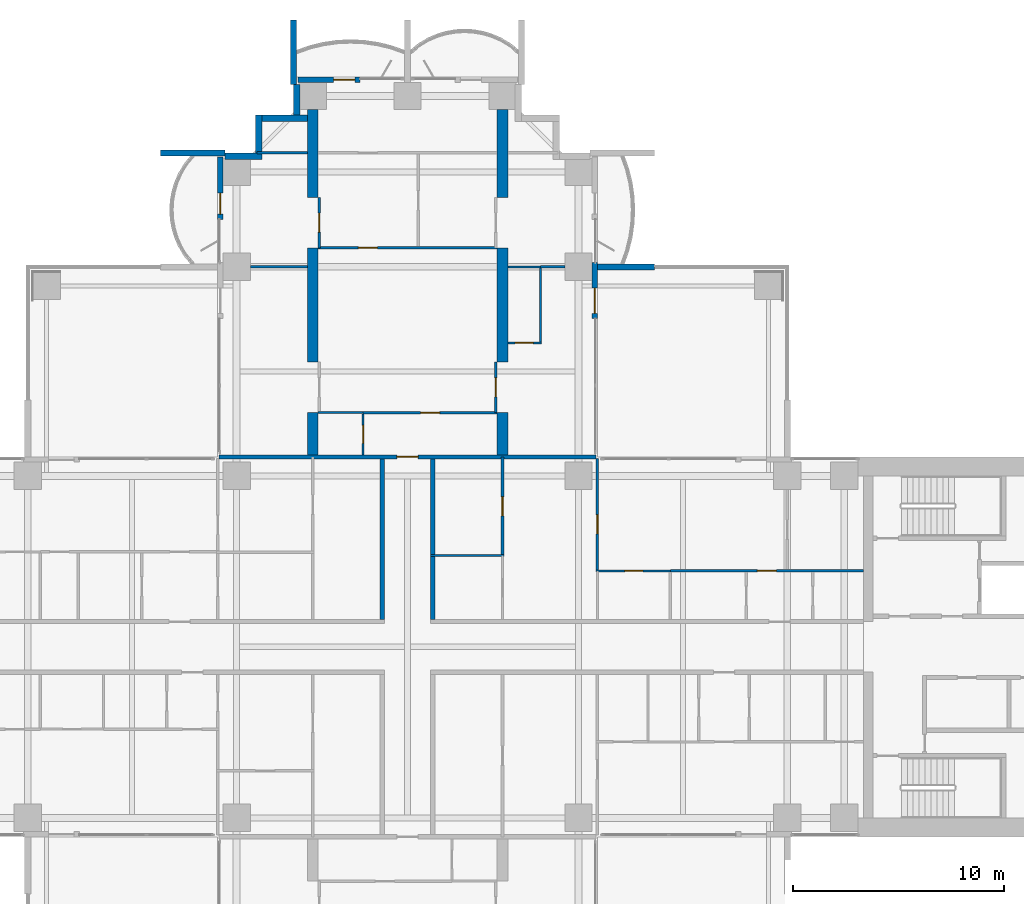
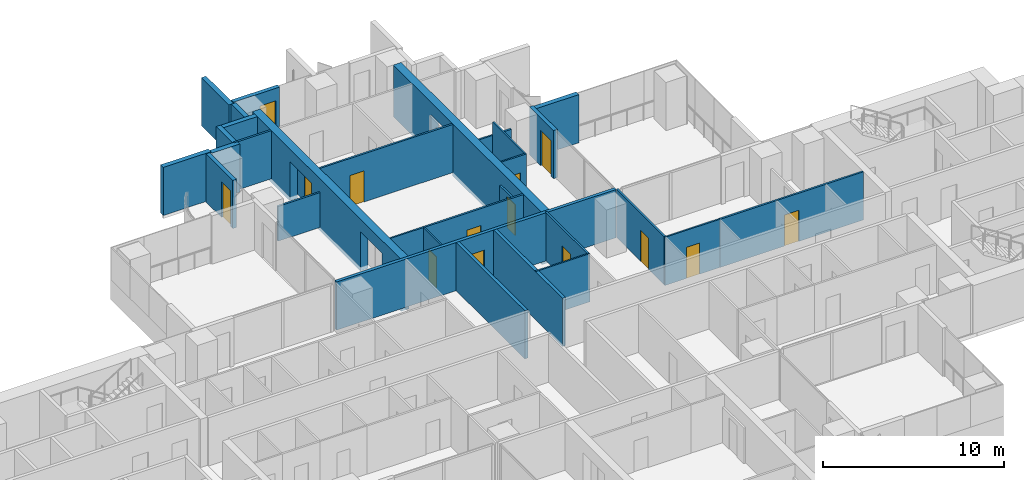
# One storey, part 14 of 20: 32 walls, 14 doors, 14 openings.
"""IFC4 building model written with IfcOpenShell, lengths in metres."""

from ifc_helpers import new_model, si_unit, direction, frame, frame_2d, origin, place, context, subcontext, project, spatial, polyline, rectangle, outline, extrude, material, layer, layer_set, material_profile, profile_set, type_object, element, fill, save


model = new_model("IFC4")

# Units and contexts
model_context = context("Model", 3, precision=1e-05, world=origin(), true_north=direction((0.0, 1.0)))
body_context = subcontext(model_context, "Body", "Model", "MODEL_VIEW")
ifc_project = project(units=[si_unit("LENGTHUNIT", "METRE"), si_unit("AREAUNIT", "SQUARE_METRE"), si_unit("VOLUMEUNIT", "CUBIC_METRE"), si_unit("PLANEANGLEUNIT", "RADIAN"), si_unit("MASSUNIT", "GRAM", prefix="KILO")], contexts=[model_context])

# Site, building, storey
site_placement = place(None, origin())
site = spatial("IfcSite", under=ifc_project, at=site_placement, CompositionType="ELEMENT")
building_placement = place(site_placement, origin())
building = spatial("IfcBuilding", under=site, at=building_placement, Name="Perihelion Cross Residences", CompositionType="ELEMENT")
storey_placement = place(building_placement, frame((0.0, 0.0, 68.0)))
storey = spatial("IfcBuildingStorey", under=building, at=storey_placement, Name="L14", CompositionType="ELEMENT", Elevation=68.0)

# Walls
ifc_material_1 = material(Name="Plasterboard partition")
ifc_layer_1 = layer(ifc_material_1, 0.199951171875)
ifc_layer_set_1 = layer_set([ifc_layer_1], Name="Apartment separation wall 200")
wall_type_1 = type_object("IfcWallType", Name="Apartment separation wall 200", PredefinedType="PARTITIONING", material=ifc_layer_set_1)
for number, where, z_axis, x_axis, name in (
    (1, (1.199951171875, 8.89990234375, 0.0), (0.0, 0.0, 1.0), (0.0, -1.0, 0.0), "Partition L14 W002"),
    (2, (-1.199951171875, 1.300048828125, 0.0), (0.0, 0.0, 1.0), (0.0, 1.0, 0.0), "Partition L14 W006"),
):
    element("IfcWall", number, at=place(storey_placement, frame(where, z_axis=z_axis, x_axis=x_axis)), inside=storey, type_object=wall_type_1, Name=name, PredefinedType="PARTITIONING", context=body_context, shape_type="SweptSolid", body=[
        extrude(rectangle(XDim=7.599853515625, YDim=0.199951171875, at=frame_2d((3.7998046875, 0.0))), origin(), (0.0, 0.0, 1.0), 3.25),
    ])

# Wall, opening, door
wall_1_placement = place(storey_placement, frame((-8.919921875, 9.0, 0.0), z_axis=(0.0, 0.0, 1.0), x_axis=(1.0, 0.0, 0.0)))
wall_1 = element("IfcWall", 3, at=wall_1_placement, inside=storey, type_object=wall_type_1, Name="Partition L14 W009", PredefinedType="PARTITIONING", context=body_context, shape_type="SweptSolid", body=[
    extrude(rectangle(XDim=17.83984375, YDim=0.199951171875, at=frame_2d((8.919921875, 0.0))), origin(), (0.0, 0.0, 1.0), 3.25),
])
opening_1_placement = place(wall_1_placement, frame((8.419921875, 0.0, 0.0)))
opening_1 = element("IfcOpeningElement", 4, at=opening_1_placement, cuts=wall_1, Name="Opening L14.A32", PredefinedType="OPENING", context=body_context, shape_type="SweptSolid", body=[
    extrude(rectangle(XDim=1.0, YDim=2.10009765625, at=frame_2d((0.5, 1.050048828125))), frame((0.0, 0.10986328125, 0.0), z_axis=(0.0, -1.0, 0.0), x_axis=(1.0, 0.0, 0.0)), (0.0, 0.0, 1.0), 0.219970703125),
])
ifc_material_2 = material(Name="Timber door leaf", Category="wood")
door_type_1 = type_object("IfcDoorType", Name="Flat entrance door 1000 x 2100", OperationType="SINGLE_SWING_LEFT", PredefinedType="DOOR", material=ifc_material_2)
door_1_placement = place(opening_1_placement, origin())
door_1 = element("IfcDoor", 5, at=door_1_placement, inside=storey, type_object=door_type_1, Name="Door L14.A32", OperationType="SINGLE_SWING_RIGHT", OverallHeight=2.10009765625, OverallWidth=1.0, PredefinedType="DOOR", context=body_context, shape_type="SweptSolid", body=[
    extrude(rectangle(XDim=1.0, YDim=2.10009765625, at=frame_2d((0.5, 1.050048828125))), frame((0.0, 0.02490234375, 0.0), z_axis=(0.0, -1.0, 0.0), x_axis=(1.0, 0.0, 0.0)), (0.0, 0.0, 1.0), 0.050048828125),
])
fill(opening_1, door_1)

ifc_material_3 = material(Name="Concrete C30/37, bronze-clad", Category="concrete")
ifc_layer_2 = layer(ifc_material_3, 0.25)
ifc_layer_set_2 = layer_set([ifc_layer_2], Name="Bronze-clad pier wall 250")
wall_type_2 = type_object("IfcWallType", Name="Bronze-clad pier wall 250", PredefinedType="SOLIDWALL", material=ifc_layer_set_2)
wall_2_placement = place(storey_placement, frame((8.875, 15.550048828125, 0.0), z_axis=(0.0, 0.0, 1.0), x_axis=(0.0, 1.0, 0.0)))
wall_2 = element("IfcWall", 6, at=wall_2_placement, inside=storey, type_object=wall_type_2, Name="Wall FW1 L14 north side east bay 1 pier", PredefinedType="SOLIDWALL", context=body_context, shape_type="SweptSolid", body=[
    extrude(rectangle(XDim=2.64990234375, YDim=0.25, at=frame_2d((1.324951171875, 0.0))), origin(), (0.0, 0.0, 1.0), 3.25),
])
opening_2_placement = place(wall_2_placement, frame((0.25, 0.0, 0.0)))
opening_2 = element("IfcOpeningElement", 7, at=opening_2_placement, cuts=wall_2, Name="Opening L14.E02", PredefinedType="OPENING", context=body_context, shape_type="SweptSolid", body=[
    extrude(rectangle(XDim=1.199951171875, YDim=2.39990234375, at=frame_2d((0.60009765625, 1.199951171875))), frame((0.0, 0.135009765625, 0.0), z_axis=(0.0, -1.0, 0.0), x_axis=(1.0, 0.0, 0.0)), (0.0, 0.0, 1.0), 0.27001953125),
])
ifc_material_4 = material(Name="Bronze anodised aluminium, glazed", Category="aluminium")
door_type_2 = type_object("IfcDoorType", Name="Balcony door 1200 x 2400", OperationType="NOTDEFINED", PredefinedType="DOOR", material=ifc_material_4)
door_2_placement = place(opening_2_placement, origin())
door_2 = element("IfcDoor", 8, at=door_2_placement, inside=storey, type_object=door_type_2, Name="Door L14.E02 north side east bay 1", OperationType="SINGLE_SWING_LEFT", OverallHeight=2.39990234375, OverallWidth=1.199951171875, PredefinedType="DOOR", context=body_context, shape_type="SweptSolid", body=[
    extrude(rectangle(XDim=1.199951171875, YDim=2.39990234375, at=frame_2d((0.60009765625, 1.199951171875))), frame((0.0, 0.02490234375, 0.0), z_axis=(0.0, -1.0, 0.0), x_axis=(1.0, 0.0, 0.0)), (0.0, 0.0, 1.0), 0.050048828125),
])
fill(opening_2, door_2)

wall_3_placement = place(storey_placement, frame((-2.25, 26.875, 0.0), z_axis=(0.0, 0.0, 1.0), x_axis=(-1.0, 0.0, 0.0)))
wall_3 = element("IfcWall", 9, at=wall_3_placement, inside=storey, type_object=wall_type_2, Name="Wall FW1 L14 north tip north bay 2 pier", PredefinedType="SOLIDWALL", context=body_context, shape_type="SweptSolid", body=[
    extrude(rectangle(XDim=2.949951171875, YDim=0.25, at=frame_2d((1.47509765625, 0.0))), origin(), (0.0, 0.0, 1.0), 3.25),
])
opening_3_placement = place(wall_3_placement, frame((0.25, 0.0, 0.0)))
opening_3 = element("IfcOpeningElement", 10, at=opening_3_placement, cuts=wall_3, Name="Opening L14.E05", PredefinedType="OPENING", context=body_context, shape_type="SweptSolid", body=[
    extrude(rectangle(XDim=1.0, YDim=2.39990234375, at=frame_2d((0.5, 1.199951171875))), frame((0.0, 0.135009765625, 0.0), z_axis=(0.0, -1.0, 0.0), x_axis=(1.0, 0.0, 0.0)), (0.0, 0.0, 1.0), 0.27001953125),
])
ifc_material_5 = material(Name="Bronze anodised aluminium, glazed", Category="aluminium")
door_type_3 = type_object("IfcDoorType", Name="Balcony door 1000 x 2400", OperationType="NOTDEFINED", PredefinedType="DOOR", material=ifc_material_5)
door_3_placement = place(opening_3_placement, origin())
door_3 = element("IfcDoor", 11, at=door_3_placement, inside=storey, type_object=door_type_3, Name="Door L14.E05 north tip north bay 2", OperationType="SINGLE_SWING_RIGHT", OverallHeight=2.39990234375, OverallWidth=1.0, PredefinedType="DOOR", context=body_context, shape_type="SweptSolid", body=[
    extrude(rectangle(XDim=1.0, YDim=2.39990234375, at=frame_2d((0.5, 1.199951171875))), frame((0.0, 0.02490234375, 0.0), z_axis=(0.0, -1.0, 0.0), x_axis=(1.0, 0.0, 0.0)), (0.0, 0.0, 1.0), 0.050048828125),
])
fill(opening_3, door_3)

wall_4_placement = place(storey_placement, frame((-8.875, 23.199951171875, 0.0), z_axis=(0.0, 0.0, 1.0), x_axis=(0.0, -1.0, 0.0)))
wall_4 = element("IfcWall", 12, at=wall_4_placement, inside=storey, type_object=wall_type_2, Name="Wall FW1 L14 north side west bay 1 pier", PredefinedType="SOLIDWALL", context=body_context, shape_type="SweptSolid", body=[
    extrude(rectangle(XDim=2.949951171875, YDim=0.25, at=frame_2d((1.47509765625, 0.0))), origin(), (0.0, 0.0, 1.0), 3.25),
])
opening_4_placement = place(wall_4_placement, frame((1.699951171875, 0.0, 0.0)))
opening_4 = element("IfcOpeningElement", 13, at=opening_4_placement, cuts=wall_4, Name="Opening L14.E06", PredefinedType="OPENING", context=body_context, shape_type="SweptSolid", body=[
    extrude(rectangle(XDim=1.0, YDim=2.39990234375, at=frame_2d((0.5, 1.199951171875))), frame((0.0, 0.135009765625, 0.0), z_axis=(0.0, -1.0, 0.0), x_axis=(1.0, 0.0, 0.0)), (0.0, 0.0, 1.0), 0.27001953125),
])
door_4_placement = place(opening_4_placement, origin())
door_4 = element("IfcDoor", 14, at=door_4_placement, inside=storey, type_object=door_type_3, Name="Door L14.E06 north side west bay 1", OperationType="SINGLE_SWING_LEFT", OverallHeight=2.39990234375, OverallWidth=1.0, PredefinedType="DOOR", context=body_context, shape_type="SweptSolid", body=[
    extrude(rectangle(XDim=1.0, YDim=2.39990234375, at=frame_2d((0.5, 1.199951171875))), frame((0.0, 0.02490234375, 0.0), z_axis=(0.0, -1.0, 0.0), x_axis=(1.0, 0.0, 0.0)), (0.0, 0.0, 1.0), 0.050048828125),
])
fill(opening_4, door_4)

# Walls
ifc_material_6 = material(Name="Concrete C30/37, bronze-clad", Category="concrete")
ifc_layer_3 = layer(ifc_material_6, 0.300048828125)
ifc_layer_set_3 = layer_set([ifc_layer_3], Name="Bronze-clad serration wall 300")
wall_type_3 = type_object("IfcWallType", Name="Bronze-clad serration wall 300", PredefinedType="SOLIDWALL", material=ifc_layer_set_3)
wall_5_placement = place(storey_placement, frame((-5.25, 26.64990234375, 0.0), z_axis=(0.0, 0.0, 1.0), x_axis=(0.0, -1.0, 0.0)))
element("IfcWall", 15, at=wall_5_placement, inside=storey, type_object=wall_type_3, Name="Wall SR1 L14 north corner north-west 1", PredefinedType="SOLIDWALL", context=body_context, shape_type="SweptSolid", body=[
    extrude(rectangle(XDim=1.449951171875, YDim=0.300048828125, at=frame_2d((0.72509765625, 0.0))), origin(), (0.0, 0.0, 1.0), 3.25),
])
wall_6_placement = place(storey_placement, frame((-4.75, 25.050048828125, 0.0), z_axis=(0.0, 0.0, 1.0), x_axis=(-1.0, 0.0, 0.0)))
element("IfcWall", 16, at=wall_6_placement, inside=storey, type_object=wall_type_3, Name="Wall SR1 L14 north corner north-west 2", PredefinedType="SOLIDWALL", context=body_context, shape_type="SweptSolid", body=[
    extrude(rectangle(XDim=2.14990234375, YDim=0.300048828125, at=frame_2d((1.074951171875, 0.0))), origin(), (0.0, 0.0, 1.0), 3.25),
])
wall_7_placement = place(storey_placement, frame((-7.050048828125, 25.199951171875, 0.0), z_axis=(0.0, 0.0, 1.0), x_axis=(0.0, -1.0, 0.0)))
element("IfcWall", 17, at=wall_7_placement, inside=storey, type_object=wall_type_3, Name="Wall SR1 L14 north corner north-west 3", PredefinedType="SOLIDWALL", context=body_context, shape_type="SweptSolid", body=[
    extrude(rectangle(XDim=1.800048828125, YDim=0.300048828125, at=frame_2d((0.89990234375, 0.0))), origin(), (0.0, 0.0, 1.0), 3.25),
])
wall_8_placement = place(storey_placement, frame((-6.89990234375, 23.25, 0.0), z_axis=(0.0, 0.0, 1.0), x_axis=(-1.0, 0.0, 0.0)))
element("IfcWall", 18, at=wall_8_placement, inside=storey, type_object=wall_type_3, Name="Wall SR1 L14 north corner north-west 4", PredefinedType="SOLIDWALL", context=body_context, shape_type="SweptSolid", body=[
    extrude(rectangle(XDim=1.75, YDim=0.300048828125, at=frame_2d((0.875, 0.0))), origin(), (0.0, 0.0, 1.0), 3.25),
])

# Wall, opening, door
ifc_material_7 = material(Name="Plasterboard partition")
ifc_layer_4 = layer(ifc_material_7, 0.1201171875)
ifc_layer_set_4 = layer_set([ifc_layer_4], Name="Infill panel 120")
wall_type_4 = type_object("IfcWallType", Name="Infill panel 120", PredefinedType="PARTITIONING", material=ifc_layer_set_4)
wall_9_placement = place(storey_placement, frame((4.18994140625, 11.10009765625, 0.0), z_axis=(0.0, 0.0, 1.0), x_axis=(0.0, 1.0, 0.0)))
wall_9 = element("IfcWall", 19, at=wall_9_placement, inside=storey, type_object=wall_type_4, Name="Partition L14 WI01", PredefinedType="PARTITIONING", context=body_context, shape_type="SweptSolid", body=[
    extrude(rectangle(XDim=2.39990234375, YDim=0.1201171875, at=frame_2d((1.199951171875, 0.0))), origin(), (0.0, 0.0, 1.0), 2.39990234375),
])
opening_5_placement = place(wall_9_placement, frame((0.75, 0.0, 0.0)))
opening_5 = element("IfcOpeningElement", 20, at=opening_5_placement, cuts=wall_9, Name="Opening L14.A50", PredefinedType="OPENING", context=body_context, shape_type="SweptSolid", body=[
    extrude(rectangle(XDim=0.89990234375, YDim=2.10009765625, at=frame_2d((0.449951171875, 1.050048828125))), frame((0.0, 0.070068359375, 0.0), z_axis=(0.0, -1.0, 0.0), x_axis=(1.0, 0.0, 0.0)), (0.0, 0.0, 1.0), 0.14013671875),
])
ifc_material_8 = material(Name="Timber door leaf", Category="wood")
door_type_4 = type_object("IfcDoorType", Name="Interior room door 900 x 2100", OperationType="SINGLE_SWING_LEFT", PredefinedType="DOOR", material=ifc_material_8)
door_5_placement = place(opening_5_placement, origin())
door_5 = element("IfcDoor", 21, at=door_5_placement, inside=storey, type_object=door_type_4, Name="Door L14.A50", OperationType="SINGLE_SWING_RIGHT", OverallHeight=2.10009765625, OverallWidth=0.89990234375, PredefinedType="DOOR", context=body_context, shape_type="SweptSolid", body=[
    extrude(rectangle(XDim=0.89990234375, YDim=2.10009765625, at=frame_2d((0.449951171875, 1.050048828125))), frame((0.0, 0.02490234375, 0.0), z_axis=(0.0, -1.0, 0.0), x_axis=(1.0, 0.0, 0.0)), (0.0, 0.0, 1.0), 0.050048828125),
])
fill(opening_5, door_5)

wall_10_placement = place(storey_placement, frame((-4.18994140625, 18.89990234375, 0.0), z_axis=(0.0, 0.0, 1.0), x_axis=(0.0, 1.0, 0.0)))
wall_10 = element("IfcWall", 22, at=wall_10_placement, inside=storey, type_object=wall_type_4, Name="Partition L14 WI04", PredefinedType="PARTITIONING", context=body_context, shape_type="SweptSolid", body=[
    extrude(rectangle(XDim=2.400146484375, YDim=0.1201171875, at=frame_2d((1.2001953125, 0.0))), origin(), (0.0, 0.0, 1.0), 2.39990234375),
])
opening_6_placement = place(wall_10_placement, frame((0.75, 0.0, 0.0)))
opening_6 = element("IfcOpeningElement", 23, at=opening_6_placement, cuts=wall_10, Name="Opening L14.A53", PredefinedType="OPENING", context=body_context, shape_type="SweptSolid", body=[
    extrude(rectangle(XDim=0.89990234375, YDim=2.10009765625, at=frame_2d((0.449951171875, 1.050048828125))), frame((0.0, 0.070068359375, 0.0), z_axis=(0.0, -1.0, 0.0), x_axis=(1.0, 0.0, 0.0)), (0.0, 0.0, 1.0), 0.14013671875),
])
door_6_placement = place(opening_6_placement, origin())
door_6 = element("IfcDoor", 24, at=door_6_placement, inside=storey, type_object=door_type_4, Name="Door L14.A53", OperationType="SINGLE_SWING_RIGHT", OverallHeight=2.10009765625, OverallWidth=0.89990234375, PredefinedType="DOOR", context=body_context, shape_type="SweptSolid", body=[
    extrude(rectangle(XDim=0.89990234375, YDim=2.10009765625, at=frame_2d((0.449951171875, 1.050048828125))), frame((0.0, 0.02490234375, 0.0), z_axis=(0.0, -1.0, 0.0), x_axis=(1.0, 0.0, 0.0)), (0.0, 0.0, 1.0), 0.050048828125),
])
fill(opening_6, door_6)

ifc_material_9 = material(Name="Plasterboard partition")
ifc_layer_5 = layer(ifc_material_9, 0.1201171875)
ifc_layer_set_5 = layer_set([ifc_layer_5], Name="Partition wall 120")
wall_type_5 = type_object("IfcWallType", Name="Partition wall 120", PredefinedType="PARTITIONING", material=ifc_layer_set_5)
wall_11_placement = place(storey_placement, frame((12.449951171875, 3.60009765625, 0.0), z_axis=(0.0, 0.0, 1.0), x_axis=(1.0, 0.0, 0.0)))
wall_11 = element("IfcWall", 25, at=wall_11_placement, inside=storey, type_object=wall_type_5, Name="Partition L14 W015", PredefinedType="PARTITIONING", context=body_context, shape_type="SweptSolid", body=[
    extrude(rectangle(XDim=9.150146484375, YDim=0.1201171875, at=frame_2d((4.5751953125, 0.0))), origin(), (0.0, 0.0, 1.0), 3.25),
])
opening_7_placement = place(wall_11_placement, frame((4.125, 0.0, 0.0)))
opening_7 = element("IfcOpeningElement", 26, at=opening_7_placement, cuts=wall_11, Name="Opening L14.A03", PredefinedType="OPENING", context=body_context, shape_type="SweptSolid", body=[
    extrude(rectangle(XDim=0.89990234375, YDim=2.10009765625, at=frame_2d((0.449951171875, 1.050048828125))), frame((0.0, 0.070068359375, 0.0), z_axis=(0.0, -1.0, 0.0), x_axis=(1.0, 0.0, 0.0)), (0.0, 0.0, 1.0), 0.14013671875),
])
door_7_placement = place(opening_7_placement, origin())
door_7 = element("IfcDoor", 27, at=door_7_placement, inside=storey, type_object=door_type_4, Name="Door L14.A03", OperationType="SINGLE_SWING_LEFT", OverallHeight=2.10009765625, OverallWidth=0.89990234375, PredefinedType="DOOR", context=body_context, shape_type="SweptSolid", body=[
    extrude(rectangle(XDim=0.89990234375, YDim=2.10009765625, at=frame_2d((0.449951171875, 1.050048828125))), frame((0.0, 0.02490234375, 0.0), z_axis=(0.0, -1.0, 0.0), x_axis=(1.0, 0.0, 0.0)), (0.0, 0.0, 1.0), 0.050048828125),
])
fill(opening_7, door_7)

wall_12_placement = place(storey_placement, frame((9.0, 3.60009765625, 0.0), z_axis=(0.0, 0.0, 1.0), x_axis=(0.0, 1.0, 0.0)))
wall_12 = element("IfcWall", 28, at=wall_12_placement, inside=storey, type_object=wall_type_5, Name="Partition L14 W018", PredefinedType="PARTITIONING", context=body_context, shape_type="SweptSolid", body=[
    extrude(rectangle(XDim=5.31982421875, YDim=0.1201171875, at=frame_2d((2.659912109375, 0.0))), origin(), (0.0, 0.0, 1.0), 3.25),
])
opening_8_placement = place(wall_12_placement, frame((1.75, 0.0, 0.0)))
opening_8 = element("IfcOpeningElement", 29, at=opening_8_placement, cuts=wall_12, Name="Opening L14.A05", PredefinedType="OPENING", context=body_context, shape_type="SweptSolid", body=[
    extrude(rectangle(XDim=0.89990234375, YDim=2.10009765625, at=frame_2d((0.449951171875, 1.050048828125))), frame((0.0, 0.070068359375, 0.0), z_axis=(0.0, -1.0, 0.0), x_axis=(1.0, 0.0, 0.0)), (0.0, 0.0, 1.0), 0.14013671875),
])
door_8_placement = place(opening_8_placement, origin())
door_8 = element("IfcDoor", 30, at=door_8_placement, inside=storey, type_object=door_type_4, Name="Door L14.A05", OperationType="SINGLE_SWING_RIGHT", OverallHeight=2.10009765625, OverallWidth=0.89990234375, PredefinedType="DOOR", context=body_context, shape_type="SweptSolid", body=[
    extrude(rectangle(XDim=0.89990234375, YDim=2.10009765625, at=frame_2d((0.449951171875, 1.050048828125))), frame((0.0, 0.02490234375, 0.0), z_axis=(0.0, -1.0, 0.0), x_axis=(1.0, 0.0, 0.0)), (0.0, 0.0, 1.0), 0.050048828125),
])
fill(opening_8, door_8)

wall_13_placement = place(storey_placement, frame((4.5, 4.320068359375, 0.0), z_axis=(0.0, 0.0, 1.0), x_axis=(0.0, 1.0, 0.0)))
wall_13 = element("IfcWall", 31, at=wall_13_placement, inside=storey, type_object=wall_type_5, Name="Partition L14 W020", PredefinedType="PARTITIONING", context=body_context, shape_type="SweptSolid", body=[
    extrude(rectangle(XDim=4.679931640625, YDim=0.1201171875, at=frame_2d((2.33984375, 0.0))), origin(), (0.0, 0.0, 1.0), 3.25),
])
opening_9_placement = place(wall_13_placement, frame((1.889892578125, 0.0, 0.0)))
opening_9 = element("IfcOpeningElement", 32, at=opening_9_placement, cuts=wall_13, Name="Opening L14.A06", PredefinedType="OPENING", context=body_context, shape_type="SweptSolid", body=[
    extrude(rectangle(XDim=0.89990234375, YDim=2.10009765625, at=frame_2d((0.449951171875, 1.050048828125))), frame((0.0, 0.070068359375, 0.0), z_axis=(0.0, -1.0, 0.0), x_axis=(1.0, 0.0, 0.0)), (0.0, 0.0, 1.0), 0.14013671875),
])
door_9_placement = place(opening_9_placement, origin())
door_9 = element("IfcDoor", 33, at=door_9_placement, inside=storey, type_object=door_type_4, Name="Door L14.A06", OperationType="SINGLE_SWING_LEFT", OverallHeight=2.10009765625, OverallWidth=0.89990234375, PredefinedType="DOOR", context=body_context, shape_type="SweptSolid", body=[
    extrude(rectangle(XDim=0.89990234375, YDim=2.10009765625, at=frame_2d((0.449951171875, 1.050048828125))), frame((0.0, 0.02490234375, 0.0), z_axis=(0.0, -1.0, 0.0), x_axis=(1.0, 0.0, 0.0)), (0.0, 0.0, 1.0), 0.050048828125),
])
fill(opening_9, door_9)

wall_14_placement = place(storey_placement, frame((-2.10009765625, 11.10009765625, 0.0), z_axis=(0.0, 0.0, 1.0), x_axis=(1.0, 0.0, 0.0)))
wall_14 = element("IfcWall", 34, at=wall_14_placement, inside=storey, type_object=wall_type_5, Name="Partition L14 W054", PredefinedType="PARTITIONING", context=body_context, shape_type="SweptSolid", body=[
    extrude(rectangle(XDim=6.35009765625, YDim=0.1201171875, at=frame_2d((3.175048828125, 0.0))), origin(), (0.0, 0.0, 1.0), 3.25),
])
opening_10_placement = place(wall_14_placement, frame((2.72509765625, 0.0, 0.0)))
opening_10 = element("IfcOpeningElement", 35, at=opening_10_placement, cuts=wall_14, Name="Opening L14.A34", PredefinedType="OPENING", context=body_context, shape_type="SweptSolid", body=[
    extrude(rectangle(XDim=0.89990234375, YDim=2.10009765625, at=frame_2d((0.449951171875, 1.050048828125))), frame((0.0, 0.070068359375, 0.0), z_axis=(0.0, -1.0, 0.0), x_axis=(1.0, 0.0, 0.0)), (0.0, 0.0, 1.0), 0.14013671875),
])
door_10_placement = place(opening_10_placement, origin())
door_10 = element("IfcDoor", 36, at=door_10_placement, inside=storey, type_object=door_type_4, Name="Door L14.A34", OperationType="SINGLE_SWING_RIGHT", OverallHeight=2.10009765625, OverallWidth=0.89990234375, PredefinedType="DOOR", context=body_context, shape_type="SweptSolid", body=[
    extrude(rectangle(XDim=0.89990234375, YDim=2.10009765625, at=frame_2d((0.449951171875, 1.050048828125))), frame((0.0, 0.02490234375, 0.0), z_axis=(0.0, -1.0, 0.0), x_axis=(1.0, 0.0, 0.0)), (0.0, 0.0, 1.0), 0.050048828125),
])
fill(opening_10, door_10)

wall_15_placement = place(storey_placement, frame((-4.25, 18.89990234375, 0.0), z_axis=(0.0, 0.0, 1.0), x_axis=(1.0, 0.0, 0.0)))
wall_15 = element("IfcWall", 37, at=wall_15_placement, inside=storey, type_object=wall_type_5, Name="Partition L14 W056", PredefinedType="PARTITIONING", context=body_context, shape_type="SweptSolid", body=[
    extrude(rectangle(XDim=8.5, YDim=0.1201171875, at=frame_2d((4.25, 0.0))), origin(), (0.0, 0.0, 1.0), 3.25),
])
opening_11_placement = place(wall_15_placement, frame((1.925048828125, 0.0, 0.0)))
opening_11 = element("IfcOpeningElement", 38, at=opening_11_placement, cuts=wall_15, Name="Opening L14.A35", PredefinedType="OPENING", context=body_context, shape_type="SweptSolid", body=[
    extrude(rectangle(XDim=0.89990234375, YDim=2.10009765625, at=frame_2d((0.449951171875, 1.050048828125))), frame((0.0, 0.070068359375, 0.0), z_axis=(0.0, -1.0, 0.0), x_axis=(1.0, 0.0, 0.0)), (0.0, 0.0, 1.0), 0.14013671875),
])
door_11_placement = place(opening_11_placement, origin())
door_11 = element("IfcDoor", 39, at=door_11_placement, inside=storey, type_object=door_type_4, Name="Door L14.A35", OperationType="SINGLE_SWING_RIGHT", OverallHeight=2.10009765625, OverallWidth=0.89990234375, PredefinedType="DOOR", context=body_context, shape_type="SweptSolid", body=[
    extrude(rectangle(XDim=0.89990234375, YDim=2.10009765625, at=frame_2d((0.449951171875, 1.050048828125))), frame((0.0, 0.02490234375, 0.0), z_axis=(0.0, -1.0, 0.0), x_axis=(1.0, 0.0, 0.0)), (0.0, 0.0, 1.0), 0.050048828125),
])
fill(opening_11, door_11)

# Walls
wall_16_placement = place(storey_placement, frame((6.300048828125, 18.0, 0.0), z_axis=(0.0, 0.0, 1.0), x_axis=(1.0, 0.0, 0.0)))
element("IfcWall", 40, at=wall_16_placement, inside=storey, type_object=wall_type_5, Name="Partition L14 W061", PredefinedType="PARTITIONING", context=body_context, shape_type="SweptSolid", body=[
    extrude(rectangle(XDim=1.14990234375, YDim=0.1201171875, at=frame_2d((0.574951171875, 0.0))), origin(), (0.0, 0.0, 1.0), 2.345947265625),
])
wall_17_placement = place(storey_placement, frame((-7.449951171875, 18.0, 0.0), z_axis=(0.0, 0.0, 1.0), x_axis=(1.0, 0.0, 0.0)))
element("IfcWall", 41, at=wall_17_placement, inside=storey, type_object=wall_type_5, Name="Partition L14 W064", PredefinedType="PARTITIONING", context=body_context, shape_type="SweptSolid", body=[
    extrude(rectangle(XDim=2.699951171875, YDim=0.1201171875, at=frame_2d((1.35009765625, 0.0))), origin(), (0.0, 0.0, 1.0), 2.345947265625),
])
wall_18_placement = place(storey_placement, frame((-7.1201171875, 23.39990234375, 0.0), z_axis=(0.0, 0.0, 1.0), x_axis=(1.0, 0.0, 0.0)))
element("IfcWall", 42, at=wall_18_placement, inside=storey, type_object=wall_type_5, Name="Partition L14 W065", PredefinedType="PARTITIONING", context=body_context, shape_type="SweptSolid", body=[
    extrude(rectangle(XDim=2.3701171875, YDim=0.1201171875, at=frame_2d((1.18505859375, 0.0))), origin(), (0.0, 0.0, 1.0), 3.25),
])
ifc_material_10 = material(Name="Precast concrete C50/60", Category="concrete")
ifc_layer_6 = layer(ifc_material_10, 0.300048828125)
ifc_layer_set_6 = layer_set([ifc_layer_6], Name="Precast concrete C50/60 blade wall 300")
wall_type_6 = type_object("IfcWallType", Name="Precast concrete C50/60 blade wall 300", PredefinedType="SOLIDWALL", material=ifc_layer_set_6)
for number, where, z_axis, x_axis, name in (
    (43, (-8.64990234375, 23.39990234375, 0.0), (0.0, 0.0, 1.0), (-1.0, 0.0, 0.0), "Wall BL1 L14 no. 8"),
    (44, (-5.39990234375, 26.64990234375, 0.0), (0.0, 0.0, 1.0), (0.0, 1.0, 0.0), "Wall BL1 L14 no. 4"),
):
    element("IfcWall", number, at=place(storey_placement, frame(where, z_axis=z_axis, x_axis=x_axis)), inside=storey, type_object=wall_type_6, Name=name, PredefinedType="SOLIDWALL", context=body_context, shape_type="SweptSolid", body=[
        extrude(rectangle(XDim=3.050048828125, YDim=0.300048828125, at=frame_2d((1.52490234375, 0.0))), origin(), (0.0, 0.0, 1.0), 3.25),
    ])
wall_19_placement = place(storey_placement, frame((8.75, 18.0, 0.0), z_axis=(0.0, 0.0, 1.0), x_axis=(1.0, 0.0, 0.0)))
element("IfcWall", 45, at=wall_19_placement, inside=storey, type_object=wall_type_6, Name="Wall BL1 L14 no. 17", PredefinedType="SOLIDWALL", context=body_context, shape_type="SweptSolid", body=[
    extrude(rectangle(XDim=2.949951171875, YDim=0.300048828125, at=frame_2d((1.47509765625, 0.0))), origin(), (0.0, 0.0, 1.0), 3.25),
])
ifc_material_11 = material(Name="Concrete C60/75", Category="concrete")
ifc_material_profile = material_profile(ifc_material_11, outline(polyline([(0.0, 0.0), (2.10009765625, 0.0), (2.10009765625, 2.64990234375), (4.5, 2.64990234375), (4.5, 0.0), (9.89990234375, 0.0), (9.89990234375, 2.64990234375), (12.300048828125, 2.64990234375), (12.300048828125, 0.0), (16.449951171875, 0.0), (16.449951171875, 3.5), (0.0, 3.5), (0.0, 0.0)])), Name="Tip spine wall")
ifc_profile_set = profile_set([ifc_material_profile], Name="Concrete C60/75")
wall_type_7 = type_object("IfcWallType", Name="Tip spine wall 500 with 2 door openings 16450 long 3500 high concrete C60/75 hand B", PredefinedType="SHEAR", material=ifc_profile_set)
for number, where, z_axis, x_axis, name in (
    (46, (-4.75, 9.0, -0.25), (1.0, 0.0, 0.0), (0.0, 1.0, 0.0), "Shear wall SW23 L14 north west"),
    (47, (4.25, 9.0, -0.25), (1.0, 0.0, 0.0), (0.0, 1.0, 0.0), "Shear wall SW23 L14 north east"),
):
    element("IfcWall", number, at=place(storey_placement, frame(where, z_axis=z_axis, x_axis=x_axis)), inside=storey, type_object=wall_type_7, Name=name, PredefinedType="SHEAR", context=body_context, shape_type="SweptSolid", body=[
        extrude(outline(polyline([(0.0, 0.0), (2.10009765625, 0.0), (2.10009765625, 2.64990234375), (4.5, 2.64990234375), (4.5, 0.0), (9.89990234375, 0.0), (9.89990234375, 2.64990234375), (12.300048828125, 2.64990234375), (12.300048828125, 0.0), (16.449951171875, 0.0), (16.449951171875, 3.5), (0.0, 3.5), (0.0, 0.0)])), origin(), (0.0, 0.0, 1.0), 0.5),
    ])

# Wall, opening, door
ifc_material_12 = material(Name="Plasterboard partition")
ifc_layer_7 = layer(ifc_material_12, 0.10009765625)
ifc_layer_set_7 = layer_set([ifc_layer_7], Name="Wet room wall 100")
wall_type_8 = type_object("IfcWallType", Name="Wet room wall 100", PredefinedType="PARTITIONING", material=ifc_layer_set_7)
wall_20_placement = place(storey_placement, frame((8.93994140625, 3.60009765625, 0.0), z_axis=(0.0, 0.0, 1.0), x_axis=(1.0, 0.0, 0.0)))
wall_20 = element("IfcWall", 48, at=wall_20_placement, inside=storey, type_object=wall_type_8, Name="Partition L14 W012", PredefinedType="PARTITIONING", context=body_context, shape_type="SweptSolid", body=[
    extrude(rectangle(XDim=3.510009765625, YDim=0.10009765625, at=frame_2d((1.7548828125, 0.0))), origin(), (0.0, 0.0, 1.0), 3.25),
])
opening_12_placement = place(wall_20_placement, frame((1.360107421875, 0.0, 0.0)))
opening_12 = element("IfcOpeningElement", 49, at=opening_12_placement, cuts=wall_20, Name="Opening L14.A08", PredefinedType="OPENING", context=body_context, shape_type="SweptSolid", body=[
    extrude(rectangle(XDim=0.85009765625, YDim=2.10009765625, at=frame_2d((0.425048828125, 1.050048828125))), frame((0.0, 0.06005859375, 0.0), z_axis=(0.0, -1.0, 0.0), x_axis=(1.0, 0.0, 0.0)), (0.0, 0.0, 1.0), 0.1201171875),
])
ifc_material_13 = material(Name="Timber door leaf", Category="wood")
door_type_5 = type_object("IfcDoorType", Name="Interior bathroom door 850 x 2100", OperationType="SINGLE_SWING_LEFT", PredefinedType="DOOR", material=ifc_material_13)
door_12_placement = place(opening_12_placement, origin())
door_12 = element("IfcDoor", 50, at=door_12_placement, inside=storey, type_object=door_type_5, Name="Door L14.A08", OperationType="SINGLE_SWING_LEFT", OverallHeight=2.10009765625, OverallWidth=0.85009765625, PredefinedType="DOOR", context=body_context, shape_type="SweptSolid", body=[
    extrude(rectangle(XDim=0.85009765625, YDim=2.10009765625, at=frame_2d((0.425048828125, 1.050048828125))), frame((0.0, 0.02490234375, 0.0), z_axis=(0.0, -1.0, 0.0), x_axis=(1.0, 0.0, 0.0)), (0.0, 0.0, 1.0), 0.050048828125),
])
fill(opening_12, door_12)

# Wall
wall_21_placement = place(storey_placement, frame((1.10009765625, 4.320068359375, 0.0), z_axis=(0.0, 0.0, 1.0), x_axis=(1.0, 0.0, 0.0)))
element("IfcWall", 51, at=wall_21_placement, inside=storey, type_object=wall_type_8, Name="Partition L14 W021", PredefinedType="PARTITIONING", context=body_context, shape_type="SweptSolid", body=[
    extrude(rectangle(XDim=3.4599609375, YDim=0.10009765625, at=frame_2d((1.72998046875, 0.0))), origin(), (0.0, 0.0, 1.0), 3.25),
])

# Wall, opening, door
wall_22_placement = place(storey_placement, frame((-2.10009765625, 9.10009765625, 0.0), z_axis=(0.0, 0.0, 1.0), x_axis=(0.0, 1.0, 0.0)))
wall_22 = element("IfcWall", 52, at=wall_22_placement, inside=storey, type_object=wall_type_8, Name="Partition L14 W053", PredefinedType="PARTITIONING", context=body_context, shape_type="SweptSolid", body=[
    extrude(rectangle(XDim=1.93994140625, YDim=0.10009765625, at=frame_2d((0.969970703125, 0.0))), origin(), (0.0, 0.0, 1.0), 3.25),
])
opening_13_placement = place(wall_22_placement, frame((0.544921875, 0.0, 0.0)))
opening_13 = element("IfcOpeningElement", 53, at=opening_13_placement, cuts=wall_22, Name="Opening L14.A33", PredefinedType="OPENING", context=body_context, shape_type="SweptSolid", body=[
    extrude(rectangle(XDim=0.85009765625, YDim=2.10009765625, at=frame_2d((0.425048828125, 1.050048828125))), frame((0.0, 0.06005859375, 0.0), z_axis=(0.0, -1.0, 0.0), x_axis=(1.0, 0.0, 0.0)), (0.0, 0.0, 1.0), 0.1201171875),
])
door_13_placement = place(opening_13_placement, origin())
door_13 = element("IfcDoor", 54, at=door_13_placement, inside=storey, type_object=door_type_5, Name="Door L14.A33", OperationType="SINGLE_SWING_LEFT", OverallHeight=2.10009765625, OverallWidth=0.85009765625, PredefinedType="DOOR", context=body_context, shape_type="SweptSolid", body=[
    extrude(rectangle(XDim=0.85009765625, YDim=2.10009765625, at=frame_2d((0.425048828125, 1.050048828125))), frame((0.0, 0.02490234375, 0.0), z_axis=(0.0, -1.0, 0.0), x_axis=(1.0, 0.0, 0.0)), (0.0, 0.0, 1.0), 0.050048828125),
])
fill(opening_13, door_13)

# Wall
wall_23_placement = place(storey_placement, frame((-4.25, 11.10009765625, 0.0), z_axis=(0.0, 0.0, 1.0), x_axis=(1.0, 0.0, 0.0)))
element("IfcWall", 55, at=wall_23_placement, inside=storey, type_object=wall_type_8, Name="Partition L14 W055", PredefinedType="PARTITIONING", context=body_context, shape_type="SweptSolid", body=[
    extrude(rectangle(XDim=2.14990234375, YDim=0.10009765625, at=frame_2d((1.074951171875, 0.0))), origin(), (0.0, 0.0, 1.0), 3.25),
])

# Wall, opening, door
wall_24_placement = place(storey_placement, frame((4.75, 14.39990234375, 0.0), z_axis=(0.0, 0.0, 1.0), x_axis=(1.0, 0.0, 0.0)))
wall_24 = element("IfcWall", 56, at=wall_24_placement, inside=storey, type_object=wall_type_8, Name="Partition L14 W059", PredefinedType="PARTITIONING", context=body_context, shape_type="SweptSolid", body=[
    extrude(rectangle(XDim=1.60009765625, YDim=0.10009765625, at=frame_2d((0.800048828125, 0.0))), origin(), (0.0, 0.0, 1.0), 3.25),
])
opening_14_placement = place(wall_24_placement, frame((0.35009765625, 0.0, 0.0)))
opening_14 = element("IfcOpeningElement", 57, at=opening_14_placement, cuts=wall_24, Name="Opening L14.A38", PredefinedType="OPENING", context=body_context, shape_type="SweptSolid", body=[
    extrude(rectangle(XDim=0.85009765625, YDim=2.10009765625, at=frame_2d((0.425048828125, 1.050048828125))), frame((0.0, 0.06005859375, 0.0), z_axis=(0.0, -1.0, 0.0), x_axis=(1.0, 0.0, 0.0)), (0.0, 0.0, 1.0), 0.1201171875),
])
door_14_placement = place(opening_14_placement, origin())
door_14 = element("IfcDoor", 58, at=door_14_placement, inside=storey, type_object=door_type_5, Name="Door L14.A38", OperationType="SINGLE_SWING_RIGHT", OverallHeight=2.10009765625, OverallWidth=0.85009765625, PredefinedType="DOOR", context=body_context, shape_type="SweptSolid", body=[
    extrude(rectangle(XDim=0.85009765625, YDim=2.10009765625, at=frame_2d((0.425048828125, 1.050048828125))), frame((0.0, 0.02490234375, 0.0), z_axis=(0.0, -1.0, 0.0), x_axis=(1.0, 0.0, 0.0)), (0.0, 0.0, 1.0), 0.050048828125),
])
fill(opening_14, door_14)

# Walls
wall_25_placement = place(storey_placement, frame((6.300048828125, 14.449951171875, 0.0), z_axis=(0.0, 0.0, 1.0), x_axis=(0.0, 1.0, 0.0)))
element("IfcWall", 59, at=wall_25_placement, inside=storey, type_object=wall_type_8, Name="Partition L14 W060", PredefinedType="PARTITIONING", context=body_context, shape_type="SweptSolid", body=[
    extrude(rectangle(XDim=3.489990234375, YDim=0.10009765625, at=frame_2d((1.7451171875, 0.0))), origin(), (0.0, 0.0, 1.0), 3.25),
])
wall_26_placement = place(storey_placement, frame((4.75, 18.0, 0.0), z_axis=(0.0, 0.0, 1.0), x_axis=(1.0, 0.0, 0.0)))
element("IfcWall", 60, at=wall_26_placement, inside=storey, type_object=wall_type_8, Name="Partition L14 W062", PredefinedType="PARTITIONING", context=body_context, shape_type="SweptSolid", body=[
    extrude(rectangle(XDim=1.550048828125, YDim=0.10009765625, at=frame_2d((0.77490234375, 0.0))), origin(), (0.0, 0.0, 1.0), 2.345947265625),
])

save(model, "model.ifc")
